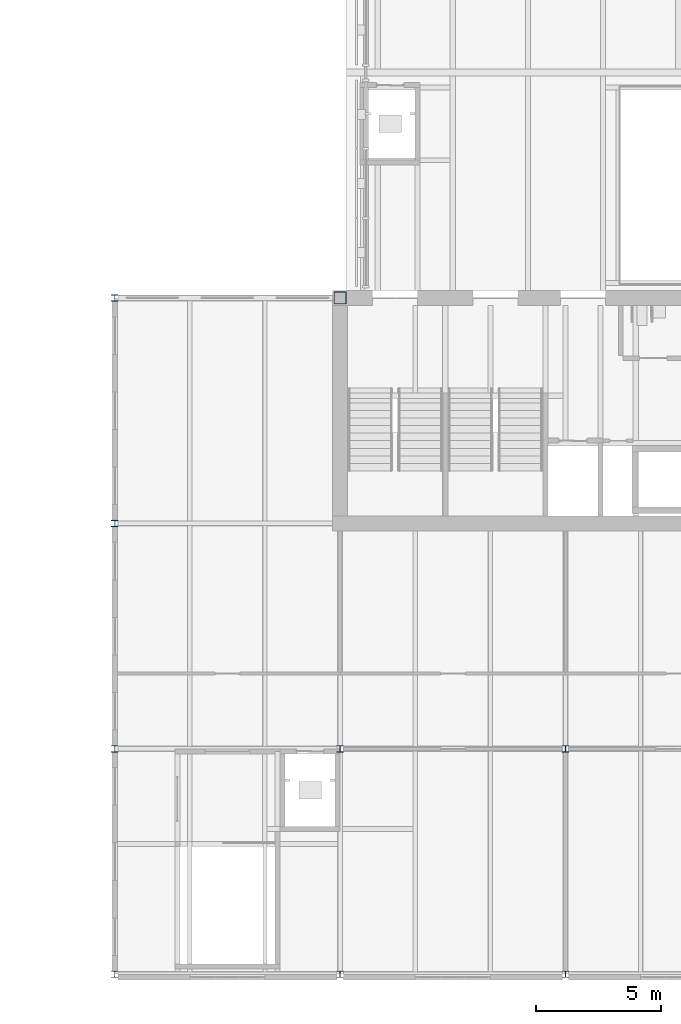
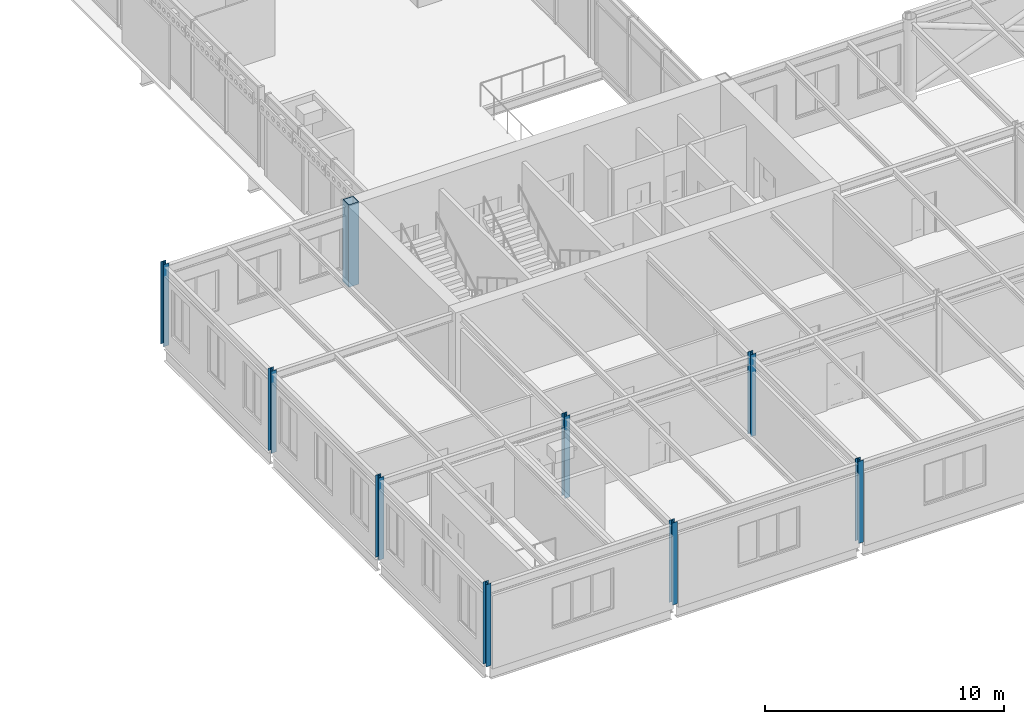
# One storey, part 1 of 123: 9 columns.
"""IFC4 building model written with IfcOpenShell, lengths in metres."""

from ifc_helpers import new_model, si_unit, direction, frame, origin, origin_2d, place, context, subcontext, project, spatial, hollow_rectangle, i_section, extrude, material, material_profile, profile_set, type_object, element, save


model = new_model("IFC4")

# Units and contexts
model_context = context("Model", 3, precision=1e-05, world=origin(), true_north=direction((0.0, 1.0)))
body_context = subcontext(model_context, "Body", "Model", "MODEL_VIEW")
ifc_project = project(units=[si_unit("LENGTHUNIT", "METRE"), si_unit("AREAUNIT", "SQUARE_METRE"), si_unit("VOLUMEUNIT", "CUBIC_METRE"), si_unit("PLANEANGLEUNIT", "RADIAN"), si_unit("MASSUNIT", "GRAM", prefix="KILO")], contexts=[model_context])

# Site, building, storey
site_placement = place(None, origin())
site = spatial("IfcSite", under=ifc_project, at=site_placement, CompositionType="ELEMENT")
building_placement = place(site_placement, origin())
building = spatial("IfcBuilding", under=site, at=building_placement, Name="Baradari Gate Terminus", CompositionType="ELEMENT")
storey_placement = place(building_placement, frame((0.0, 0.0, 7.5)))
storey = spatial("IfcBuildingStorey", under=building, at=storey_placement, Name="L01", CompositionType="ELEMENT", Elevation=7.5)

# Columns
ifc_material_1 = material(Name="Steel S355", Category="steel")
ifc_material_profile_1 = material_profile(ifc_material_1, hollow_rectangle(XDim=0.5, YDim=0.5, WallThickness=0.031982421875, at=origin_2d()), Name="FB 500x500x32")
ifc_profile_set_1 = profile_set([ifc_material_profile_1], Name="Steel S355")
column_type_1 = type_object("IfcColumnType", Name="Abutment end post C06 FB 500x500x32", PredefinedType="COLUMN", material=ifc_profile_set_1)
column_placement = place(storey_placement, frame((72.0, 36.0, 0.0), z_axis=(0.0, 0.0, 1.0), x_axis=(1.0, 0.0, 0.0)))
element("IfcColumn", 1, at=column_placement, inside=storey, type_object=column_type_1, Name="C06 column 9-E L01", PredefinedType="COLUMN", context=body_context, shape_type="SweptSolid", body=[
    extrude(hollow_rectangle(XDim=0.5, YDim=0.5, WallThickness=0.031982421875, at=origin_2d()), origin(), (0.0, 0.0, 1.0), 4.199951171875),
])
ifc_material_2 = material(Name="Steel S355", Category="steel")
ifc_material_profile_2 = material_profile(ifc_material_2, i_section(OverallWidth=0.25634765625, OverallDepth=0.26025390625, WebThickness=0.01025390625, FlangeThickness=0.017333984375, FilletRadius=0.0126953125, at=origin_2d()), Name="UC 254x254x89")
ifc_profile_set_2 = profile_set([ifc_material_profile_2], Name="Steel S355")
column_type_2 = type_object("IfcColumnType", Name="South wing column C04 UC 254x254x89", PredefinedType="COLUMN", material=ifc_profile_set_2)
for number, where, z_axis, x_axis, name in (
    (2, (63.0, 18.0, 0.0), (0.0, 0.0, 1.0), (1.0, 0.0, 0.0), "C04 column 8-C L01"),
    (3, (63.0, 27.0, 0.0), (0.0, 0.0, 1.0), (1.0, 0.0, 0.0), "C04 column 8-D L01"),
    (4, (63.0, 36.0, 0.0), (0.0, 0.0, 1.0), (1.0, 0.0, 0.0), "C04 column 8-E L01"),
    (5, (72.0, 18.0, 0.0), (0.0, 0.0, 1.0), (1.0, 0.0, 0.0), "C04 column 9-C L01"),
    (6, (81.0, 18.0, 0.0), (0.0, 0.0, 1.0), (1.0, 0.0, 0.0), "C04 column 10-C L01"),
):
    element("IfcColumn", number, at=place(storey_placement, frame(where, z_axis=z_axis, x_axis=x_axis)), inside=storey, type_object=column_type_2, Name=name, PredefinedType="COLUMN", context=body_context, shape_type="SweptSolid", body=[
        extrude(i_section(OverallWidth=0.25634765625, OverallDepth=0.26025390625, WebThickness=0.01025390625, FlangeThickness=0.017333984375, FilletRadius=0.0126953125, at=origin_2d()), origin(), (0.0, 0.0, 1.0), 4.199951171875),
    ])
ifc_material_3 = material(Name="Steel S355", Category="steel")
ifc_material_profile_3 = material_profile(ifc_material_3, i_section(OverallWidth=0.254638671875, OverallDepth=0.254150390625, WebThickness=0.008544921875, FlangeThickness=0.01416015625, FilletRadius=0.0126953125, at=origin_2d()), Name="UC 254x254x73")
ifc_profile_set_3 = profile_set([ifc_material_profile_3], Name="Steel S355")
column_type_3 = type_object("IfcColumnType", Name="South wing facade column C03 UC 254x254x73", PredefinedType="COLUMN", material=ifc_profile_set_3)
for number, where, z_axis, x_axis, name in (
    (7, (63.0, 9.0, 0.0), (0.0, 0.0, 1.0), (1.0, 0.0, 0.0), "C03 column 8-B L01"),
    (8, (72.0, 9.0, 0.0), (0.0, 0.0, 1.0), (1.0, 0.0, 0.0), "C03 column 9-B L01"),
    (9, (81.0, 9.0, 0.0), (0.0, 0.0, 1.0), (1.0, 0.0, 0.0), "C03 column 10-B L01"),
):
    element("IfcColumn", number, at=place(storey_placement, frame(where, z_axis=z_axis, x_axis=x_axis)), inside=storey, type_object=column_type_3, Name=name, PredefinedType="COLUMN", context=body_context, shape_type="SweptSolid", body=[
        extrude(i_section(OverallWidth=0.254638671875, OverallDepth=0.254150390625, WebThickness=0.008544921875, FlangeThickness=0.01416015625, FilletRadius=0.0126953125, at=origin_2d()), origin(), (0.0, 0.0, 1.0), 4.199951171875),
    ])

save(model, "model.ifc")
